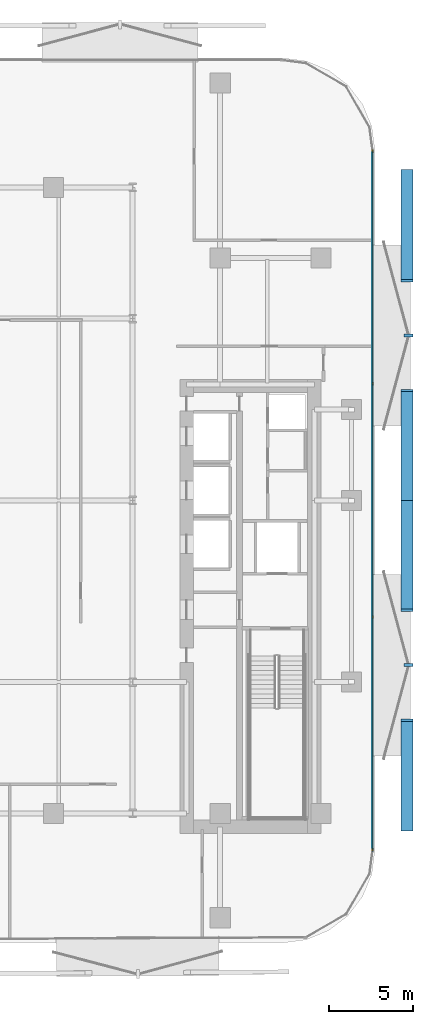
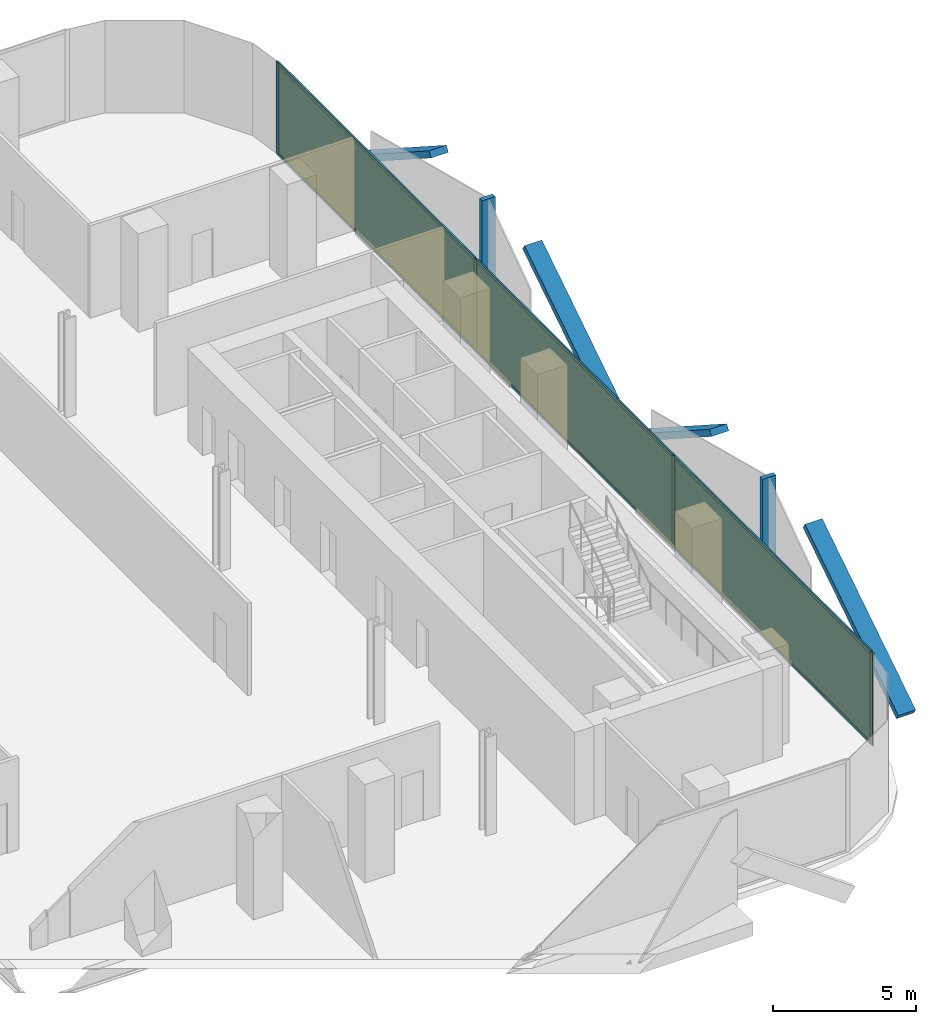
# One storey, part 9 of 15: 16 members, 3 plates, 1 curtain wall.
"""IFC4 building model written with IfcOpenShell, lengths in metres."""

from ifc_helpers import new_model, si_unit, direction, frame, frame_2d, origin, origin_2d, place, context, subcontext, project, spatial, rectangle, extrude, material, layer, layer_set, material_profile, profile_set, type_object, element, aggregate, save


model = new_model("IFC4")

# Units and contexts
model_context = context("Model", 3, precision=1e-05, world=origin(), true_north=direction((0.0, 1.0)))
body_context = subcontext(model_context, "Body", "Model", "MODEL_VIEW")
ifc_project = project(units=[si_unit("LENGTHUNIT", "METRE"), si_unit("AREAUNIT", "SQUARE_METRE"), si_unit("VOLUMEUNIT", "CUBIC_METRE"), si_unit("PLANEANGLEUNIT", "RADIAN"), si_unit("MASSUNIT", "GRAM", prefix="KILO")], contexts=[model_context])

# Member
ifc_material_1 = material(Name="Anodised Bronze Aluminium 6063-T6", Category="aluminium")
ifc_material_profile_1 = material_profile(ifc_material_1, rectangle(XDim=0.260009765625, YDim=0.699951171875, at=origin_2d()))
ifc_profile_set_1 = profile_set([ifc_material_profile_1], Name="Anodised Bronze Aluminium 6063-T6")
member_type_1 = type_object("IfcMemberType", Name="Bronze Diamond Solar-Screen Lattice Rib BDL-700", PredefinedType="MULLION", material=ifc_profile_set_1)
site_placement = place(None, origin())
building_placement = place(site_placement, origin())
storey_placement = place(building_placement, frame((0.0, 0.0, 143.60009765625)))
member_1_placement = place(storey_placement, frame((25.5, 19.5908203125, -0.130126953125), z_axis=(0.0, -0.841066075866, 0.540932395062), x_axis=(0.0, -0.540932395062, -0.841066075866)))
member_1 = element("IfcMember", 1, at=member_1_placement, type_object=member_type_1, Name="L33 Bronze Diamond Solar Screen Lattice Rib 215A", PredefinedType="MULLION", context=body_context, shape_type="SweptSolid", body=[
    extrude(rectangle(XDim=0.260009765625, YDim=0.699951171875, at=origin_2d()), origin(), (0.0, 0.0, 1.0), 7.76416015625),
])

member_2_placement = place(storey_placement, frame((25.5, 0.0, -0.130126953125), z_axis=(0.0, 0.841066075866, 0.540932395062), x_axis=(0.0, 0.540932395062, -0.841066075866)))
member_2 = element("IfcMember", 2, at=member_2_placement, type_object=member_type_1, Name="L33 Bronze Diamond Solar Screen Lattice Rib 215B", PredefinedType="MULLION", context=body_context, shape_type="SweptSolid", body=[
    extrude(rectangle(XDim=0.260009765625, YDim=0.699951171875, at=origin_2d()), origin(), (0.0, 0.0, 1.0), 7.76416015625),
])

member_3_placement = place(storey_placement, frame((25.5, 0.0, -0.130126953125), z_axis=(0.0, -0.841066075866, 0.540932395062), x_axis=(0.0, -0.540932395062, -0.841066075866)))
member_3 = element("IfcMember", 3, at=member_3_placement, type_object=member_type_1, Name="L33 Bronze Diamond Solar Screen Lattice Rib 216A", PredefinedType="MULLION", context=body_context, shape_type="SweptSolid", body=[
    extrude(rectangle(XDim=0.260009765625, YDim=0.699951171875, at=origin_2d()), origin(), (0.0, 0.0, 1.0), 7.76416015625),
])

member_4_placement = place(storey_placement, frame((25.5, -19.5908203125, -0.130126953125), z_axis=(0.0, 0.841066075866, 0.540932395062), x_axis=(0.0, 0.540932395062, -0.841066075866)))
member_4 = element("IfcMember", 4, at=member_4_placement, type_object=member_type_1, Name="L33 Bronze Diamond Solar Screen Lattice Rib 216B", PredefinedType="MULLION", context=body_context, shape_type="SweptSolid", body=[
    extrude(rectangle(XDim=0.260009765625, YDim=0.699951171875, at=origin_2d()), origin(), (0.0, 0.0, 1.0), 7.76416015625),
])

ifc_material_2 = material(Name="Anodised Bronze Aluminium 6063-T6", Category="aluminium")
ifc_material_profile_2 = material_profile(ifc_material_2, rectangle(XDim=0.179931640625, YDim=0.5400390625, at=origin_2d()))
ifc_profile_set_2 = profile_set([ifc_material_profile_2], Name="Anodised Bronze Aluminium 6063-T6")
member_type_2 = type_object("IfcMemberType", Name="Bronze Solar-Screen Vertical Fold Fin BSF-540", PredefinedType="MULLION", material=ifc_profile_set_2)
member_5_placement = place(storey_placement, frame((25.580078125, 9.79541015625, -0.130126953125), z_axis=(0.0, 0.0, 1.0), x_axis=(0.0, -1.0, 0.0)))
member_5 = element("IfcMember", 5, at=member_5_placement, type_object=member_type_2, Name="L33 Bronze Solar Screen Vertical Fin 215", PredefinedType="MULLION", context=body_context, shape_type="SweptSolid", body=[
    extrude(rectangle(XDim=0.179931640625, YDim=0.5400390625, at=origin_2d()), origin(), (0.0, 0.0, 1.0), 4.199951171875),
])

member_6_placement = place(storey_placement, frame((25.580078125, -9.79541015625, -0.130126953125), z_axis=(0.0, 0.0, 1.0), x_axis=(0.0, -1.0, 0.0)))
member_6 = element("IfcMember", 6, at=member_6_placement, type_object=member_type_2, Name="L33 Bronze Solar Screen Vertical Fin 216", PredefinedType="MULLION", context=body_context, shape_type="SweptSolid", body=[
    extrude(rectangle(XDim=0.179931640625, YDim=0.5400390625, at=origin_2d()), origin(), (0.0, 0.0, 1.0), 4.199951171875),
])

ifc_material_3 = material(Name="Anodised Bronze Aluminium 6063-T6", Category="aluminium")
ifc_material_profile_3 = material_profile(ifc_material_3, rectangle(XDim=0.06494140625, YDim=0.175048828125, at=origin_2d()))
ifc_profile_set_3 = profile_set([ifc_material_profile_3], Name="Anodised Bronze Aluminium 6063-T6")
member_type_3 = type_object("IfcMemberType", Name="CW-Z2 Mullion 65x175", PredefinedType="MULLION", material=ifc_profile_set_3)
member_7_placement = place(storey_placement, frame((23.4599609375, 20.75830078125, 0.0), z_axis=(0.0, 0.0, 1.0), x_axis=(1.0, 0.0, 0.0)))
member_7 = element("IfcMember", 7, at=member_7_placement, type_object=member_type_3, Name="CW-Z2 mullion 1", PredefinedType="MULLION", context=body_context, shape_type="SweptSolid", body=[
    extrude(rectangle(XDim=0.06494140625, YDim=0.175048828125, at=origin_2d()), origin(), (0.0, 0.0, 1.0), 3.93994140625),
])

member_8_placement = place(storey_placement, frame((23.4599609375, 6.93017578125, 0.0), z_axis=(0.0, 0.0, 1.0), x_axis=(1.0, 0.0, 0.0)))
member_8 = element("IfcMember", 8, at=member_8_placement, type_object=member_type_3, Name="CW-Z2 mullion 2", PredefinedType="MULLION", context=body_context, shape_type="SweptSolid", body=[
    extrude(rectangle(XDim=0.06494140625, YDim=0.175048828125, at=origin_2d()), origin(), (0.0, 0.0, 1.0), 3.93994140625),
])

member_9_placement = place(storey_placement, frame((23.4599609375, -6.93017578125, 0.0), z_axis=(0.0, 0.0, 1.0), x_axis=(1.0, 0.0, 0.0)))
member_9 = element("IfcMember", 9, at=member_9_placement, type_object=member_type_3, Name="CW-Z2 mullion 3", PredefinedType="MULLION", context=body_context, shape_type="SweptSolid", body=[
    extrude(rectangle(XDim=0.06494140625, YDim=0.175048828125, at=origin_2d()), origin(), (0.0, 0.0, 1.0), 3.93994140625),
])

member_10_placement = place(storey_placement, frame((23.4599609375, -20.75830078125, 0.0), z_axis=(0.0, 0.0, 1.0), x_axis=(1.0, 0.0, 0.0)))
member_10 = element("IfcMember", 10, at=member_10_placement, type_object=member_type_3, Name="CW-Z2 mullion 4", PredefinedType="MULLION", context=body_context, shape_type="SweptSolid", body=[
    extrude(rectangle(XDim=0.06494140625, YDim=0.175048828125, at=origin_2d()), origin(), (0.0, 0.0, 1.0), 3.93994140625),
])

ifc_material_4 = material(Name="Anodised Bronze Aluminium 6063-T6", Category="aluminium")
ifc_material_profile_4 = material_profile(ifc_material_4, rectangle(XDim=0.06494140625, YDim=0.135009765625, at=origin_2d()))
ifc_profile_set_4 = profile_set([ifc_material_profile_4], Name="Anodised Bronze Aluminium 6063-T6")
member_type_4 = type_object("IfcMemberType", Name="CW-Z2 Transom 65x135", PredefinedType="USERDEFINED", material=ifc_profile_set_4)
member_11_placement = place(storey_placement, frame((23.4599609375, 20.725830078125, 0.032470703125), z_axis=(0.0, -1.0, 0.0), x_axis=(1.0, 0.0, 0.0)))
member_11 = element("IfcMember", 11, at=member_11_placement, type_object=member_type_4, Name="CW-Z2 transom 1.1", ObjectType="TRANSOM", PredefinedType="USERDEFINED", context=body_context, shape_type="SweptSolid", body=[
    extrude(rectangle(XDim=0.06494140625, YDim=0.135009765625, at=origin_2d()), origin(), (0.0, 0.0, 1.0), 13.76318359375),
])

member_12_placement = place(storey_placement, frame((23.4599609375, 20.725830078125, 3.907470703125), z_axis=(0.0, -1.0, 0.0), x_axis=(1.0, 0.0, 0.0)))
member_12 = element("IfcMember", 12, at=member_12_placement, type_object=member_type_4, Name="CW-Z2 transom 1.2", ObjectType="TRANSOM", PredefinedType="USERDEFINED", context=body_context, shape_type="SweptSolid", body=[
    extrude(rectangle(XDim=0.06494140625, YDim=0.135009765625, at=origin_2d()), origin(), (0.0, 0.0, 1.0), 13.76318359375),
])

member_13_placement = place(storey_placement, frame((23.4599609375, 6.897705078125, 0.032470703125), z_axis=(0.0, -1.0, 0.0), x_axis=(1.0, 0.0, 0.0)))
member_13 = element("IfcMember", 13, at=member_13_placement, type_object=member_type_4, Name="CW-Z2 transom 2.1", ObjectType="TRANSOM", PredefinedType="USERDEFINED", context=body_context, shape_type="SweptSolid", body=[
    extrude(rectangle(XDim=0.06494140625, YDim=0.135009765625, at=origin_2d()), origin(), (0.0, 0.0, 1.0), 13.79541015625),
])

member_14_placement = place(storey_placement, frame((23.4599609375, 6.897705078125, 3.907470703125), z_axis=(0.0, -1.0, 0.0), x_axis=(1.0, 0.0, 0.0)))
member_14 = element("IfcMember", 14, at=member_14_placement, type_object=member_type_4, Name="CW-Z2 transom 2.2", ObjectType="TRANSOM", PredefinedType="USERDEFINED", context=body_context, shape_type="SweptSolid", body=[
    extrude(rectangle(XDim=0.06494140625, YDim=0.135009765625, at=origin_2d()), origin(), (0.0, 0.0, 1.0), 13.79541015625),
])

member_15_placement = place(storey_placement, frame((23.4599609375, -6.962646484375, 0.032470703125), z_axis=(0.0, -1.0, 0.0), x_axis=(1.0, 0.0, 0.0)))
member_15 = element("IfcMember", 15, at=member_15_placement, type_object=member_type_4, Name="CW-Z2 transom 3.1", ObjectType="TRANSOM", PredefinedType="USERDEFINED", context=body_context, shape_type="SweptSolid", body=[
    extrude(rectangle(XDim=0.06494140625, YDim=0.135009765625, at=origin_2d()), origin(), (0.0, 0.0, 1.0), 13.76318359375),
])

member_16_placement = place(storey_placement, frame((23.4599609375, -6.962646484375, 3.907470703125), z_axis=(0.0, -1.0, 0.0), x_axis=(1.0, 0.0, 0.0)))
member_16 = element("IfcMember", 16, at=member_16_placement, type_object=member_type_4, Name="CW-Z2 transom 3.2", ObjectType="TRANSOM", PredefinedType="USERDEFINED", context=body_context, shape_type="SweptSolid", body=[
    extrude(rectangle(XDim=0.06494140625, YDim=0.135009765625, at=origin_2d()), origin(), (0.0, 0.0, 1.0), 13.76318359375),
])

# Plate
ifc_material_5 = material(Name="Low-E Solar Control Laminated Glass", Category="glass")
ifc_layer_1 = layer(ifc_material_5, 0.028076171875, Name="Low-E Solar Control Laminated Glass")
ifc_layer_set_1 = layer_set([ifc_layer_1], Name="Low-E Solar Control Laminated Glass")
plate_type = type_object("IfcPlateType", Name="CW-Z2 Low-E Double Glazed Panel 28mm", PredefinedType="CURTAIN_PANEL", material=ifc_layer_set_1)
plate_1_placement = place(storey_placement, frame((23.4599609375, 13.84423828125, 0.06494140625), z_axis=(0.0, 0.0, 1.0), x_axis=(0.0, -1.0, 0.0)))
plate_1 = element("IfcPlate", 17, at=plate_1_placement, type_object=plate_type, Name="CW-Z2 panel 1.1", PredefinedType="CURTAIN_PANEL", context=body_context, shape_type="SweptSolid", body=[
    extrude(rectangle(XDim=13.762939453125, YDim=0.028076171875, at=origin_2d()), origin(), (0.0, 0.0, 1.0), 3.81005859375),
])

plate_2_placement = place(storey_placement, frame((23.4599609375, 0.0, 0.06494140625), z_axis=(0.0, 0.0, 1.0), x_axis=(0.0, -1.0, 0.0)))
plate_2 = element("IfcPlate", 18, at=plate_2_placement, type_object=plate_type, Name="CW-Z2 panel 2.1", PredefinedType="CURTAIN_PANEL", context=body_context, shape_type="SweptSolid", body=[
    extrude(rectangle(XDim=13.795654296875, YDim=0.028076171875, at=origin_2d()), origin(), (0.0, 0.0, 1.0), 3.81005859375),
])

plate_3_placement = place(storey_placement, frame((23.4599609375, -13.84423828125, 0.06494140625), z_axis=(0.0, 0.0, 1.0), x_axis=(0.0, -1.0, 0.0)))
plate_3 = element("IfcPlate", 19, at=plate_3_placement, type_object=plate_type, Name="CW-Z2 panel 3.1", PredefinedType="CURTAIN_PANEL", context=body_context, shape_type="SweptSolid", body=[
    extrude(rectangle(XDim=13.762939453125, YDim=0.028076171875, at=origin_2d()), origin(), (0.0, 0.0, 1.0), 3.81005859375),
])

# Site, building, storey
site = spatial("IfcSite", under=ifc_project, at=site_placement, CompositionType="ELEMENT")
building = spatial("IfcBuilding", under=site, at=building_placement, Name="Khairoan Windgate Tower", CompositionType="ELEMENT")
storey = spatial("IfcBuildingStorey", under=building, at=storey_placement, Name="L33", CompositionType="ELEMENT", Elevation=143.60009765625)

# Curtain wall
ifc_material_6 = material(Name="Anodised Bronze Aluminium 6063-T6", Category="aluminium")
ifc_layer_2 = layer(ifc_material_6, 0.175048828125, Name="Anodised Bronze Aluminium 6063-T6")
ifc_layer_set_2 = layer_set([ifc_layer_2], Name="Anodised Bronze Aluminium 6063-T6")
curtain_wall_type = type_object("IfcCurtainWallType", Name="Mid-Rise Office Unitised Curtain Wall CW-Z2", PredefinedType="NOTDEFINED", material=ifc_layer_set_2)
curtain_wall_placement = place(storey_placement, frame((23.4599609375, 20.790771484375, 0.0), z_axis=(0.0, 0.0, 1.0), x_axis=(0.0, -1.0, 0.0)))
curtain_wall = element("IfcCurtainWall", 20, at=curtain_wall_placement, inside=storey, type_object=curtain_wall_type, Name="L33 Unitised Curtain Wall 16", PredefinedType="NOTDEFINED", context=body_context, shape_type="SweptSolid", body=[
    extrude(rectangle(XDim=41.58154296875, YDim=0.010009765625, at=frame_2d((20.790771484375, 0.0))), origin(), (0.0, 0.0, 1.0), 3.93994140625),
])

aggregate(curtain_wall, [member_7, member_8, member_9, member_10, member_11, member_12, plate_1, member_13, member_14, plate_2, member_15, member_16, plate_3, member_1, member_2, member_5, member_3, member_4, member_6])

save(model, "model.ifc")
